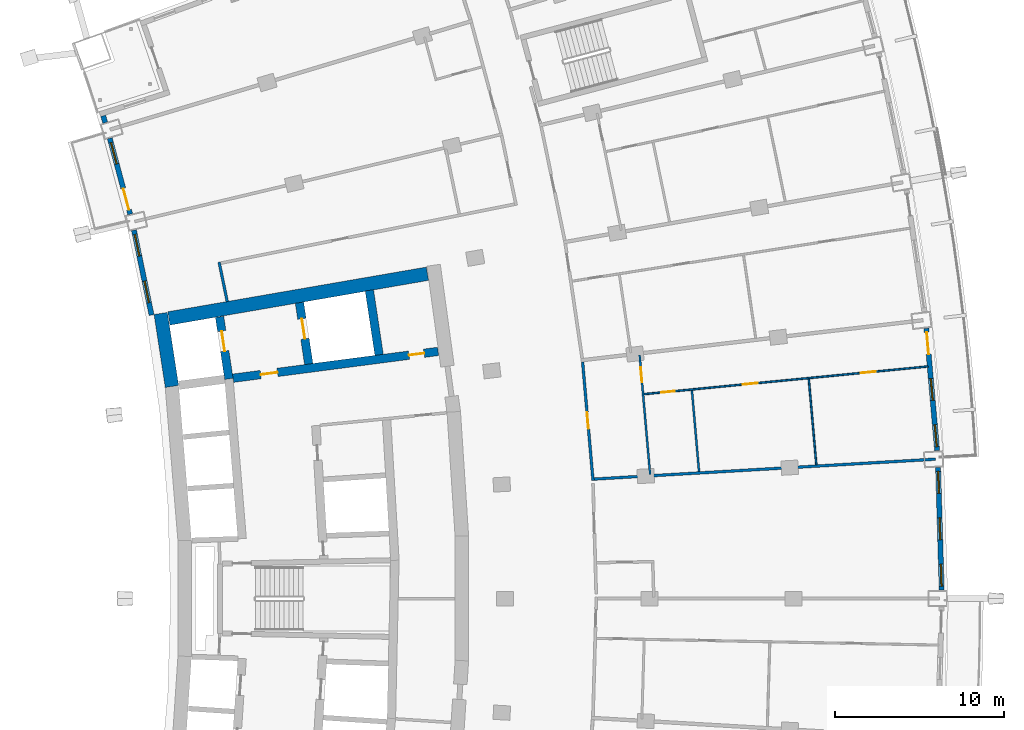
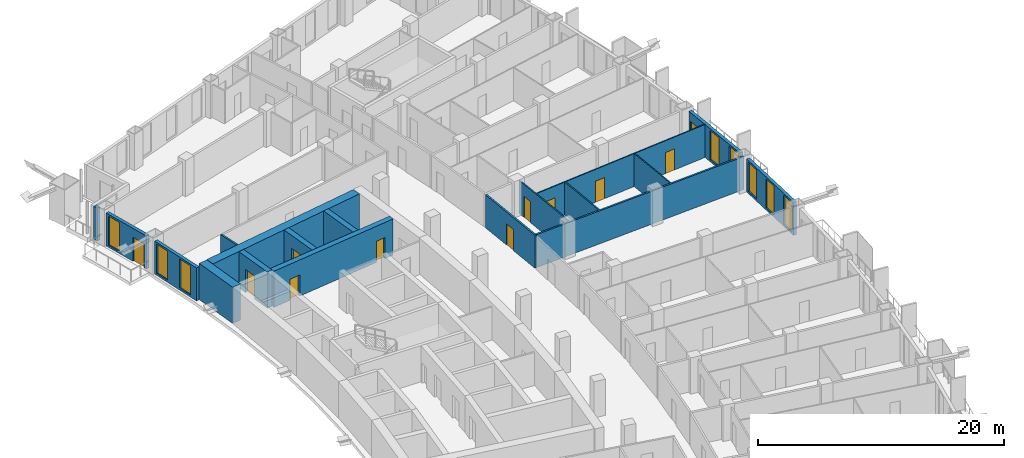
# One storey, part 15 of 23: 18 walls, 11 doors, 8 windows, 19 openings.
"""IFC4 building model written with IfcOpenShell, lengths in metres."""

from ifc_helpers import new_model, si_unit, direction, frame, frame_2d, origin, place, context, subcontext, project, spatial, rectangle, extrude, material, layer, layer_set, type_object, element, fill, save


model = new_model("IFC4")

# Units and contexts
model_context = context("Model", 3, precision=1e-05, world=origin(), true_north=direction((0.0, 1.0)))
body_context = subcontext(model_context, "Body", "Model", "MODEL_VIEW")
ifc_project = project(units=[si_unit("LENGTHUNIT", "METRE"), si_unit("AREAUNIT", "SQUARE_METRE"), si_unit("VOLUMEUNIT", "CUBIC_METRE"), si_unit("PLANEANGLEUNIT", "RADIAN"), si_unit("MASSUNIT", "GRAM", prefix="KILO")], contexts=[model_context])

# Site, building, storey
site_placement = place(None, origin())
site = spatial("IfcSite", under=ifc_project, at=site_placement, CompositionType="ELEMENT")
building_placement = place(site_placement, origin())
building = spatial("IfcBuilding", under=site, at=building_placement, Name="Alderwake Tower", CompositionType="ELEMENT")
storey_placement = place(building_placement, frame((0.0, 0.0, 100.39990234375)))
storey = spatial("IfcBuildingStorey", under=building, at=storey_placement, Name="L24", CompositionType="ELEMENT", Elevation=100.39990234375)

# Walls
ifc_material_1 = material(Name="Concrete C70/85", Category="concrete")
ifc_layer_1 = layer(ifc_material_1, 0.800048828125)
ifc_layer_set_1 = layer_set([ifc_layer_1], Name="Core wall outer 800 C70-85")
wall_type_1 = type_object("IfcWallType", Name="Core wall outer 800 C70-85", PredefinedType="SHEAR", material=ifc_layer_set_1)
wall_1_placement = place(storey_placement, frame((16.083984375, 73.552490234375, 0.0), z_axis=(0.0, 0.0, 1.0), x_axis=(-0.151981606421, 0.988383322052, 0.0)))
element("IfcWall", 1, at=wall_1_placement, inside=storey, type_object=wall_type_1, Name="Core wall CW.039", PredefinedType="SHEAR", context=body_context, shape_type="SweptSolid", body=[
    extrude(rectangle(XDim=4.369384765625, YDim=0.800048828125, at=frame_2d((2.1845703125, 0.0))), origin(), (0.0, 0.0, 1.0), 3.60009765625),
])
wall_2_placement = place(storey_placement, frame((15.900146484375, 77.577880859375, 0.0), z_axis=(0.0, 0.0, 1.0), x_axis=(0.985386601125, 0.170332751763, 0.0)))
element("IfcWall", 2, at=wall_2_placement, inside=storey, type_object=wall_type_1, Name="Core wall CW.054", PredefinedType="SHEAR", context=body_context, shape_type="SweptSolid", body=[
    extrude(rectangle(XDim=15.531494140625, YDim=0.800048828125, at=frame_2d((7.765625, 0.0))), origin(), (0.0, 0.0, 1.0), 3.60009765625),
])

# Wall, opening, door
ifc_material_2 = material(Name="Concrete C70/85", Category="concrete")
ifc_layer_2 = layer(ifc_material_2, 0.5)
ifc_layer_set_2 = layer_set([ifc_layer_2], Name="Core wall spine 500 C70-85")
wall_type_2 = type_object("IfcWallType", Name="Core wall spine 500 C70-85", PredefinedType="SHEAR", material=ifc_layer_set_2)
wall_3_placement = place(storey_placement, frame((19.4541015625, 73.9990234375, 0.0), z_axis=(0.0, 0.0, 1.0), x_axis=(-0.14792928808, 0.988997940204, 0.0)))
wall_3 = element("IfcWall", 3, at=wall_3_placement, inside=storey, type_object=wall_type_2, Name="Core wall CW.030", PredefinedType="SHEAR", context=body_context, shape_type="SweptSolid", body=[
    extrude(rectangle(XDim=3.716552734375, YDim=0.5, at=frame_2d((1.8583984375, 0.0))), origin(), (0.0, 0.0, 1.0), 3.60009765625),
])
opening_1_placement = place(wall_3_placement, frame((1.66259765625, 0.0, 0.0)))
opening_1 = element("IfcOpeningElement", 4, at=opening_1_placement, cuts=wall_3, Name="Opening LD-FF1", PredefinedType="OPENING", context=body_context, shape_type="SweptSolid", body=[
    extrude(rectangle(XDim=1.199951171875, YDim=2.300048828125, at=frame_2d((0.60009765625, 1.14990234375))), frame((0.0, 0.260009765625, 0.0), z_axis=(0.0, -1.0, 0.0), x_axis=(1.0, 0.0, 0.0)), (0.0, 0.0, 1.0), 0.52001953125),
])
ifc_material_3 = material(Name="Stainless steel sliding leaf", Category="steel")
door_type_1 = type_object("IfcDoorType", Name="Lift landing door 1200", OperationType="SLIDING_TO_LEFT", PredefinedType="DOOR", material=ifc_material_3)
door_1_placement = place(opening_1_placement, origin())
door_1 = element("IfcDoor", 5, at=door_1_placement, inside=storey, type_object=door_type_1, Name="Lift landing door FF1", OperationType="SLIDING_TO_LEFT", OverallHeight=2.300048828125, OverallWidth=1.199951171875, PredefinedType="DOOR", context=body_context, shape_type="SweptSolid", body=[
    extrude(rectangle(XDim=1.199951171875, YDim=2.300048828125, at=frame_2d((0.60009765625, 1.14990234375))), frame((0.0, 0.02490234375, 0.0), z_axis=(0.0, -1.0, 0.0), x_axis=(1.0, 0.0, 0.0)), (0.0, 0.0, 1.0), 0.050048828125),
])
fill(opening_1, door_1)

wall_4_placement = place(storey_placement, frame((24.1796875, 74.878173828125, 0.0), z_axis=(0.0, 0.0, 1.0), x_axis=(-0.149334835296, 0.988786684259, 0.0)))
wall_4 = element("IfcWall", 6, at=wall_4_placement, inside=storey, type_object=wall_type_2, Name="Core wall CW.044", PredefinedType="SHEAR", context=body_context, shape_type="SweptSolid", body=[
    extrude(rectangle(XDim=3.673583984375, YDim=0.5, at=frame_2d((1.8369140625, 0.0))), origin(), (0.0, 0.0, 1.0), 3.60009765625),
])
opening_2_placement = place(wall_4_placement, frame((1.51171875, 0.0, 0.0)))
opening_2 = element("IfcOpeningElement", 7, at=opening_2_placement, cuts=wall_4, Name="Opening LD-FF2", PredefinedType="OPENING", context=body_context, shape_type="SweptSolid", body=[
    extrude(rectangle(XDim=1.199951171875, YDim=2.300048828125, at=frame_2d((0.60009765625, 1.14990234375))), frame((0.0, 0.260009765625, 0.0), z_axis=(0.0, -1.0, 0.0), x_axis=(1.0, 0.0, 0.0)), (0.0, 0.0, 1.0), 0.52001953125),
])
door_2_placement = place(opening_2_placement, origin())
door_2 = element("IfcDoor", 8, at=door_2_placement, inside=storey, type_object=door_type_1, Name="Lift landing door FF2", OperationType="SLIDING_TO_LEFT", OverallHeight=2.300048828125, OverallWidth=1.199951171875, PredefinedType="DOOR", context=body_context, shape_type="SweptSolid", body=[
    extrude(rectangle(XDim=1.199951171875, YDim=2.300048828125, at=frame_2d((0.60009765625, 1.14990234375))), frame((0.0, 0.02490234375, 0.0), z_axis=(0.0, -1.0, 0.0), x_axis=(1.0, 0.0, 0.0)), (0.0, 0.0, 1.0), 0.050048828125),
])
fill(opening_2, door_2)

# Wall
wall_5_placement = place(storey_placement, frame((28.34423828125, 75.4228515625, 0.0), z_axis=(0.0, 0.0, 1.0), x_axis=(-0.14943460482, 0.988771611082, 0.0)))
element("IfcWall", 9, at=wall_5_placement, inside=storey, type_object=wall_type_2, Name="Core wall CW.001", PredefinedType="SHEAR", context=body_context, shape_type="SweptSolid", body=[
    extrude(rectangle(XDim=3.8623046875, YDim=0.5, at=frame_2d((1.93115234375, 0.0))), origin(), (0.0, 0.0, 1.0), 3.60009765625),
])

# Wall, openings, doors
wall_6_placement = place(storey_placement, frame((31.834716796875, 75.627197265625, 0.0), z_axis=(0.0, 0.0, 1.0), x_axis=(-0.991555516999, -0.129682908318, 0.0)))
wall_6 = element("IfcWall", 10, at=wall_6_placement, inside=storey, type_object=wall_type_2, Name="Core wall CW.052", PredefinedType="SHEAR", context=body_context, shape_type="SweptSolid", body=[
    extrude(rectangle(XDim=12.23681640625, YDim=0.5, at=frame_2d((6.118408203125, 0.0))), origin(), (0.0, 0.0, 1.0), 3.60009765625),
])
opening_3_placement = place(wall_6_placement, frame((9.587158203125, 0.0, 0.0)))
opening_3 = element("IfcOpeningElement", 11, at=opening_3_placement, cuts=wall_6, Name="Opening C002", PredefinedType="OPENING", context=body_context, shape_type="SweptSolid", body=[
    extrude(rectangle(XDim=1.0, YDim=2.10009765625, at=frame_2d((0.5, 1.050048828125))), frame((0.0, 0.260009765625, 0.0), z_axis=(0.0, -1.0, 0.0), x_axis=(1.0, 0.0, 0.0)), (0.0, 0.0, 1.0), 0.52001953125),
])
opening_4_placement = place(wall_6_placement, frame((0.837158203125, 0.0, 0.0)))
opening_4 = element("IfcOpeningElement", 12, at=opening_4_placement, cuts=wall_6, Name="Opening C020", PredefinedType="OPENING", context=body_context, shape_type="SweptSolid", body=[
    extrude(rectangle(XDim=0.89990234375, YDim=2.10009765625, at=frame_2d((0.449951171875, 1.050048828125))), frame((0.0, 0.260009765625, 0.0), z_axis=(0.0, -1.0, 0.0), x_axis=(1.0, 0.0, 0.0)), (0.0, 0.0, 1.0), 0.52001953125),
])
ifc_material_4 = material(Name="Painted steel leaf", Category="steel")
door_type_2 = type_object("IfcDoorType", Name="Core room door 900", OperationType="SINGLE_SWING_LEFT", PredefinedType="DOOR", material=ifc_material_4)
door_3_placement = place(opening_4_placement, origin())
door_3 = element("IfcDoor", 13, at=door_3_placement, inside=storey, type_object=door_type_2, Name="Room door", OperationType="SINGLE_SWING_LEFT", OverallHeight=2.10009765625, OverallWidth=0.89990234375, PredefinedType="DOOR", context=body_context, shape_type="SweptSolid", body=[
    extrude(rectangle(XDim=0.89990234375, YDim=2.10009765625, at=frame_2d((0.449951171875, 1.050048828125))), frame((0.0, 0.02490234375, 0.0), z_axis=(0.0, -1.0, 0.0), x_axis=(1.0, 0.0, 0.0)), (0.0, 0.0, 1.0), 0.050048828125),
])
fill(opening_4, door_3)
ifc_material_5 = material(Name="Steel-framed fire door leaf", Category="steel")
door_type_3 = type_object("IfcDoorType", Name="Firefighting lobby door 1000 fire-rated", OperationType="SINGLE_SWING_LEFT", PredefinedType="DOOR", material=ifc_material_5)
door_4_placement = place(opening_3_placement, origin())
door_4 = element("IfcDoor", 14, at=door_4_placement, inside=storey, type_object=door_type_3, Name="Firefighting lobby door", OperationType="SINGLE_SWING_RIGHT", OverallHeight=2.10009765625, OverallWidth=1.0, PredefinedType="DOOR", context=body_context, shape_type="SweptSolid", body=[
    extrude(rectangle(XDim=1.0, YDim=2.10009765625, at=frame_2d((0.5, 1.050048828125))), frame((0.0, 0.02490234375, 0.0), z_axis=(0.0, -1.0, 0.0), x_axis=(1.0, 0.0, 0.0)), (0.0, 0.0, 1.0), 0.050048828125),
])
fill(opening_3, door_4)

# Wall
ifc_material_6 = material(Name="Gypsum board on metal studs, rated")
ifc_layer_3 = layer(ifc_material_6, 0.159912109375)
ifc_layer_set_3 = layer_set([ifc_layer_3], Name="Corridor wall 160")
wall_type_3 = type_object("IfcWallType", Name="Corridor wall 160", PredefinedType="PARTITIONING", material=ifc_layer_set_3)
wall_7_placement = place(storey_placement, frame((18.874755859375, 80.910400390625, 0.0), z_axis=(0.0, 0.0, 1.0), x_axis=(0.202312089075, -0.979321100873, 0.0)))
element("IfcWall", 15, at=wall_7_placement, inside=storey, type_object=wall_type_3, Name="WL/L24/W21", PredefinedType="PARTITIONING", context=body_context, shape_type="SweptSolid", body=[
    extrude(rectangle(XDim=2.39306640625, YDim=0.159912109375, at=frame_2d((1.196533203125, 0.0))), origin(), (0.0, 0.0, 1.0), 3.280029296875),
])

# Wall, opening, door
wall_8_placement = place(storey_placement, frame((40.3857421875, 75.00830078125, 0.0), z_axis=(0.0, 0.0, 1.0), x_axis=(0.087430787456, -0.996170596537, 0.0)))
wall_8 = element("IfcWall", 16, at=wall_8_placement, inside=storey, type_object=wall_type_3, Name="WL/L24/W42", PredefinedType="PARTITIONING", context=body_context, shape_type="SweptSolid", body=[
    extrude(rectangle(XDim=7.048095703125, YDim=0.159912109375, at=frame_2d((3.52392578125, 0.0))), origin(), (0.0, 0.0, 1.0), 3.280029296875),
])
opening_5_placement = place(wall_8_placement, frame((2.984619140625, 0.0, 0.0)))
opening_5 = element("IfcOpeningElement", 17, at=opening_5_placement, cuts=wall_8, Name="Opening R06-U09.2", PredefinedType="OPENING", context=body_context, shape_type="SweptSolid", body=[
    extrude(rectangle(XDim=1.0, YDim=2.10009765625, at=frame_2d((0.5, 1.050048828125))), frame((0.0, 0.08984375, 0.0), z_axis=(0.0, -1.0, 0.0), x_axis=(1.0, 0.0, 0.0)), (0.0, 0.0, 1.0), 0.179931640625),
])
ifc_material_7 = material(Name="Solid timber leaf in steel frame", Category="steel")
door_type_4 = type_object("IfcDoorType", Name="Flat entrance door 1000 fire-rated", OperationType="SINGLE_SWING_LEFT", PredefinedType="DOOR", material=ifc_material_7)
door_5_placement = place(opening_5_placement, origin())
door_5 = element("IfcDoor", 18, at=door_5_placement, inside=storey, type_object=door_type_4, Name="DR/L24/U09.2", OperationType="SINGLE_SWING_LEFT", OverallHeight=2.10009765625, OverallWidth=1.0, PredefinedType="DOOR", context=body_context, shape_type="SweptSolid", body=[
    extrude(rectangle(XDim=1.0, YDim=2.10009765625, at=frame_2d((0.5, 1.050048828125))), frame((0.0, 0.02490234375, 0.0), z_axis=(0.0, -1.0, 0.0), x_axis=(1.0, 0.0, 0.0)), (0.0, 0.0, 1.0), 0.050048828125),
])
fill(opening_5, door_5)

# Wall
wall_9_placement = place(storey_placement, frame((61.260009765625, 69.2490234375, 0.0), z_axis=(0.0, 0.0, 1.0), x_axis=(-0.998303560932, -0.058223708493, 0.0)))
element("IfcWall", 19, at=wall_9_placement, inside=storey, type_object=wall_type_3, Name="WL/L24/W44", PredefinedType="PARTITIONING", context=body_context, shape_type="SweptSolid", body=[
    extrude(rectangle(XDim=20.21923828125, YDim=0.159912109375, at=frame_2d((10.109619140625, 0.0))), origin(), (0.0, 0.0, 1.0), 3.280029296875),
])

# Wall, openings, windows
ifc_material_8 = material(Name="Precast concrete C50/60 spandrel panel", Category="concrete")
ifc_layer_4 = layer(ifc_material_8, 0.300048828125)
ifc_layer_set_4 = layer_set([ifc_layer_4], Name="External wall EW1 Precast concrete C50/60 spandrel")
wall_type_4 = type_object("IfcWallType", Name="External wall EW1 Precast concrete C50/60 spandrel", PredefinedType="SOLIDWALL", material=ifc_layer_set_4)
wall_10_placement = place(storey_placement, frame((61.635498046875, 61.49853515625, 0.0), z_axis=(0.0, 0.0, 1.0), x_axis=(-0.029172877937, 0.999574381021, 0.0)))
wall_10 = element("IfcWall", 20, at=wall_10_placement, inside=storey, type_object=wall_type_4, Name="External wall 17", PredefinedType="SOLIDWALL", context=body_context, shape_type="SweptSolid", body=[
    extrude(rectangle(XDim=7.26416015625, YDim=0.300048828125, at=frame_2d((3.632080078125, 0.0))), origin(), (0.0, 0.0, 1.0), 3.280029296875),
])
opening_6_placement = place(wall_10_placement, frame((0.23291015625, 0.0, 0.199951171875)))
opening_6 = element("IfcOpeningElement", 21, at=opening_6_placement, cuts=wall_10, Name="Opening W1", PredefinedType="OPENING", context=body_context, shape_type="SweptSolid", body=[
    extrude(rectangle(XDim=1.300048828125, YDim=2.89990234375, at=frame_2d((0.64990234375, 1.449951171875))), frame((0.0, 0.159912109375, 0.0), z_axis=(0.0, -1.0, 0.0), x_axis=(1.0, 0.0, 0.0)), (0.0, 0.0, 1.0), 0.320068359375),
])
opening_7_placement = place(wall_10_placement, frame((2.98193359375, 0.0, 0.199951171875)))
opening_7 = element("IfcOpeningElement", 22, at=opening_7_placement, cuts=wall_10, Name="Opening W1", PredefinedType="OPENING", context=body_context, shape_type="SweptSolid", body=[
    extrude(rectangle(XDim=1.300048828125, YDim=2.89990234375, at=frame_2d((0.64990234375, 1.449951171875))), frame((0.0, 0.159912109375, 0.0), z_axis=(0.0, -1.0, 0.0), x_axis=(1.0, 0.0, 0.0)), (0.0, 0.0, 1.0), 0.320068359375),
])
opening_8_placement = place(wall_10_placement, frame((5.731201171875, 0.0, 0.199951171875)))
opening_8 = element("IfcOpeningElement", 23, at=opening_8_placement, cuts=wall_10, Name="Opening W1", PredefinedType="OPENING", context=body_context, shape_type="SweptSolid", body=[
    extrude(rectangle(XDim=1.300048828125, YDim=2.89990234375, at=frame_2d((0.64990234375, 1.449951171875))), frame((0.0, 0.159912109375, 0.0), z_axis=(0.0, -1.0, 0.0), x_axis=(1.0, 0.0, 0.0)), (0.0, 0.0, 1.0), 0.320068359375),
])
ifc_material_9 = material(Name="Bronze tinted glass in aluminium frame", Category="aluminium")
window_type = type_object("IfcWindowType", Name="Window W1 tall fixed and vent", PartitioningType="DOUBLE_PANEL_VERTICAL", PredefinedType="WINDOW", material=ifc_material_9)
window_1_placement = place(opening_6_placement, origin())
window_1 = element("IfcWindow", 24, at=window_1_placement, inside=storey, type_object=window_type, Name="Window W1 tall fixed and vent", OverallHeight=2.89990234375, OverallWidth=1.300048828125, PartitioningType="DOUBLE_PANEL_VERTICAL", PredefinedType="WINDOW", context=body_context, shape_type="SweptSolid", body=[
    extrude(rectangle(XDim=1.300048828125, YDim=2.89990234375, at=frame_2d((0.64990234375, 1.449951171875))), frame((0.0, 0.030029296875, 0.0), z_axis=(0.0, -1.0, 0.0), x_axis=(1.0, 0.0, 0.0)), (0.0, 0.0, 1.0), 0.06005859375),
])
fill(opening_6, window_1)
window_2_placement = place(opening_7_placement, origin())
window_2 = element("IfcWindow", 25, at=window_2_placement, inside=storey, type_object=window_type, Name="Window W1 tall fixed and vent", OverallHeight=2.89990234375, OverallWidth=1.300048828125, PartitioningType="DOUBLE_PANEL_VERTICAL", PredefinedType="WINDOW", context=body_context, shape_type="SweptSolid", body=[
    extrude(rectangle(XDim=1.300048828125, YDim=2.89990234375, at=frame_2d((0.64990234375, 1.449951171875))), frame((0.0, 0.030029296875, 0.0), z_axis=(0.0, -1.0, 0.0), x_axis=(1.0, 0.0, 0.0)), (0.0, 0.0, 1.0), 0.06005859375),
])
fill(opening_7, window_2)
window_3_placement = place(opening_8_placement, origin())
window_3 = element("IfcWindow", 26, at=window_3_placement, inside=storey, type_object=window_type, Name="Window W1 tall fixed and vent", OverallHeight=2.89990234375, OverallWidth=1.300048828125, PartitioningType="DOUBLE_PANEL_VERTICAL", PredefinedType="WINDOW", context=body_context, shape_type="SweptSolid", body=[
    extrude(rectangle(XDim=1.300048828125, YDim=2.89990234375, at=frame_2d((0.64990234375, 1.449951171875))), frame((0.0, 0.030029296875, 0.0), z_axis=(0.0, -1.0, 0.0), x_axis=(1.0, 0.0, 0.0)), (0.0, 0.0, 1.0), 0.06005859375),
])
fill(opening_8, window_3)

# Wall, openings, door, windows
wall_11_placement = place(storey_placement, frame((61.365478515625, 69.755126953125, 0.0), z_axis=(0.0, 0.0, 1.0), x_axis=(-0.087383747715, 0.996174723949, 0.0)))
wall_11 = element("IfcWall", 27, at=wall_11_placement, inside=storey, type_object=wall_type_4, Name="External wall 18", PredefinedType="SOLIDWALL", context=body_context, shape_type="SweptSolid", body=[
    extrude(rectangle(XDim=7.26416015625, YDim=0.300048828125, at=frame_2d((3.632080078125, 0.0))), origin(), (0.0, 0.0, 1.0), 3.280029296875),
])
opening_9_placement = place(wall_11_placement, frame((0.23291015625, 0.0, 0.199951171875)))
opening_9 = element("IfcOpeningElement", 28, at=opening_9_placement, cuts=wall_11, Name="Opening W1", PredefinedType="OPENING", context=body_context, shape_type="SweptSolid", body=[
    extrude(rectangle(XDim=1.300048828125, YDim=2.89990234375, at=frame_2d((0.64990234375, 1.449951171875))), frame((0.0, 0.159912109375, 0.0), z_axis=(0.0, -1.0, 0.0), x_axis=(1.0, 0.0, 0.0)), (0.0, 0.0, 1.0), 0.320068359375),
])
opening_10_placement = place(wall_11_placement, frame((2.98193359375, 0.0, 0.199951171875)))
opening_10 = element("IfcOpeningElement", 29, at=opening_10_placement, cuts=wall_11, Name="Opening W1", PredefinedType="OPENING", context=body_context, shape_type="SweptSolid", body=[
    extrude(rectangle(XDim=1.300048828125, YDim=2.89990234375, at=frame_2d((0.64990234375, 1.449951171875))), frame((0.0, 0.159912109375, 0.0), z_axis=(0.0, -1.0, 0.0), x_axis=(1.0, 0.0, 0.0)), (0.0, 0.0, 1.0), 0.320068359375),
])
opening_11_placement = place(wall_11_placement, frame((5.731201171875, 0.0, 0.0)))
opening_11 = element("IfcOpeningElement", 30, at=opening_11_placement, cuts=wall_11, Name="Opening D08", PredefinedType="OPENING", context=body_context, shape_type="SweptSolid", body=[
    extrude(rectangle(XDim=1.300048828125, YDim=2.39990234375, at=frame_2d((0.64990234375, 1.199951171875))), frame((0.0, 0.159912109375, 0.0), z_axis=(0.0, -1.0, 0.0), x_axis=(1.0, 0.0, 0.0)), (0.0, 0.0, 1.0), 0.320068359375),
])
ifc_material_10 = material(Name="Bronze tinted glass in aluminium frame", Category="aluminium")
door_type_5 = type_object("IfcDoorType", Name="Balcony door BD sliding", OperationType="SLIDING_TO_LEFT", PredefinedType="DOOR", material=ifc_material_10)
door_6_placement = place(opening_11_placement, origin())
door_6 = element("IfcDoor", 31, at=door_6_placement, inside=storey, type_object=door_type_5, Name="Door D08", OperationType="SLIDING_TO_LEFT", OverallHeight=2.39990234375, OverallWidth=1.300048828125, PredefinedType="DOOR", context=body_context, shape_type="SweptSolid", body=[
    extrude(rectangle(XDim=1.300048828125, YDim=2.39990234375, at=frame_2d((0.64990234375, 1.199951171875))), frame((0.0, 0.02490234375, 0.0), z_axis=(0.0, -1.0, 0.0), x_axis=(1.0, 0.0, 0.0)), (0.0, 0.0, 1.0), 0.050048828125),
])
fill(opening_11, door_6)
window_4_placement = place(opening_9_placement, origin())
window_4 = element("IfcWindow", 32, at=window_4_placement, inside=storey, type_object=window_type, Name="Window W1 tall fixed and vent", OverallHeight=2.89990234375, OverallWidth=1.300048828125, PartitioningType="DOUBLE_PANEL_VERTICAL", PredefinedType="WINDOW", context=body_context, shape_type="SweptSolid", body=[
    extrude(rectangle(XDim=1.300048828125, YDim=2.89990234375, at=frame_2d((0.64990234375, 1.449951171875))), frame((0.0, 0.030029296875, 0.0), z_axis=(0.0, -1.0, 0.0), x_axis=(1.0, 0.0, 0.0)), (0.0, 0.0, 1.0), 0.06005859375),
])
fill(opening_9, window_4)
window_5_placement = place(opening_10_placement, origin())
window_5 = element("IfcWindow", 33, at=window_5_placement, inside=storey, type_object=window_type, Name="Window W1 tall fixed and vent", OverallHeight=2.89990234375, OverallWidth=1.300048828125, PartitioningType="DOUBLE_PANEL_VERTICAL", PredefinedType="WINDOW", context=body_context, shape_type="SweptSolid", body=[
    extrude(rectangle(XDim=1.300048828125, YDim=2.89990234375, at=frame_2d((0.64990234375, 1.449951171875))), frame((0.0, 0.030029296875, 0.0), z_axis=(0.0, -1.0, 0.0), x_axis=(1.0, 0.0, 0.0)), (0.0, 0.0, 1.0), 0.06005859375),
])
fill(opening_10, window_5)

# Wall
wall_12_placement = place(storey_placement, frame((12.01416015625, 89.5703125, 0.0), z_axis=(0.0, 0.0, 1.0), x_axis=(0.294567190983, -0.955630770746, 0.0)))
element("IfcWall", 34, at=wall_12_placement, inside=storey, type_object=wall_type_4, Name="External wall 32", PredefinedType="SOLIDWALL", context=body_context, shape_type="SweptSolid", body=[
    extrude(rectangle(XDim=0.427734375, YDim=0.300048828125, at=frame_2d((0.2138671875, 0.0))), origin(), (0.0, 0.0, 1.0), 3.280029296875),
])

# Wall, openings, door, window
wall_13_placement = place(storey_placement, frame((12.406494140625, 88.237548828125, 0.0), z_axis=(0.0, 0.0, 1.0), x_axis=(0.259468933642, -0.965751454814, 0.0)))
wall_13 = element("IfcWall", 35, at=wall_13_placement, inside=storey, type_object=wall_type_4, Name="External wall 33", PredefinedType="SOLIDWALL", context=body_context, shape_type="SweptSolid", body=[
    extrude(rectangle(XDim=4.65087890625, YDim=0.300048828125, at=frame_2d((2.325439453125, 0.0))), origin(), (0.0, 0.0, 1.0), 3.280029296875),
])
opening_12_placement = place(wall_13_placement, frame((0.26708984375, 0.0, 0.199951171875)))
opening_12 = element("IfcOpeningElement", 36, at=opening_12_placement, cuts=wall_13, Name="Opening W1", PredefinedType="OPENING", context=body_context, shape_type="SweptSolid", body=[
    extrude(rectangle(XDim=1.300048828125, YDim=2.89990234375, at=frame_2d((0.64990234375, 1.449951171875))), frame((0.0, 0.159912109375, 0.0), z_axis=(0.0, -1.0, 0.0), x_axis=(1.0, 0.0, 0.0)), (0.0, 0.0, 1.0), 0.320068359375),
])
opening_13_placement = place(wall_13_placement, frame((3.083984375, 0.0, 0.0)))
opening_13 = element("IfcOpeningElement", 37, at=opening_13_placement, cuts=wall_13, Name="Opening D14", PredefinedType="OPENING", context=body_context, shape_type="SweptSolid", body=[
    extrude(rectangle(XDim=1.300048828125, YDim=2.39990234375, at=frame_2d((0.64990234375, 1.199951171875))), frame((0.0, 0.159912109375, 0.0), z_axis=(0.0, -1.0, 0.0), x_axis=(1.0, 0.0, 0.0)), (0.0, 0.0, 1.0), 0.320068359375),
])
door_7_placement = place(opening_13_placement, origin())
door_7 = element("IfcDoor", 38, at=door_7_placement, inside=storey, type_object=door_type_5, Name="Door D14", OperationType="SLIDING_TO_LEFT", OverallHeight=2.39990234375, OverallWidth=1.300048828125, PredefinedType="DOOR", context=body_context, shape_type="SweptSolid", body=[
    extrude(rectangle(XDim=1.300048828125, YDim=2.39990234375, at=frame_2d((0.64990234375, 1.199951171875))), frame((0.0, 0.02490234375, 0.0), z_axis=(0.0, -1.0, 0.0), x_axis=(1.0, 0.0, 0.0)), (0.0, 0.0, 1.0), 0.050048828125),
])
fill(opening_13, door_7)
window_6_placement = place(opening_12_placement, origin())
window_6 = element("IfcWindow", 39, at=window_6_placement, inside=storey, type_object=window_type, Name="Window W1 tall fixed and vent", OverallHeight=2.89990234375, OverallWidth=1.300048828125, PartitioningType="DOUBLE_PANEL_VERTICAL", PredefinedType="WINDOW", context=body_context, shape_type="SweptSolid", body=[
    extrude(rectangle(XDim=1.300048828125, YDim=2.89990234375, at=frame_2d((0.64990234375, 1.449951171875))), frame((0.0, 0.030029296875, 0.0), z_axis=(0.0, -1.0, 0.0), x_axis=(1.0, 0.0, 0.0)), (0.0, 0.0, 1.0), 0.06005859375),
])
fill(opening_12, window_6)

# Wall, openings, windows
wall_14_placement = place(storey_placement, frame((13.83740234375, 82.803955078125, 0.0), z_axis=(0.0, 0.0, 1.0), x_axis=(0.202723539143, -0.979236011734, 0.0)))
wall_14 = element("IfcWall", 40, at=wall_14_placement, inside=storey, type_object=wall_type_4, Name="External wall 34", PredefinedType="SOLIDWALL", context=body_context, shape_type="SweptSolid", body=[
    extrude(rectangle(XDim=5.134033203125, YDim=0.300048828125, at=frame_2d((2.56689453125, 0.0))), origin(), (0.0, 0.0, 1.0), 3.280029296875),
])
opening_14_placement = place(wall_14_placement, frame((0.264892578125, 0.0, 0.199951171875)))
opening_14 = element("IfcOpeningElement", 41, at=opening_14_placement, cuts=wall_14, Name="Opening W1", PredefinedType="OPENING", context=body_context, shape_type="SweptSolid", body=[
    extrude(rectangle(XDim=1.300048828125, YDim=2.89990234375, at=frame_2d((0.64990234375, 1.449951171875))), frame((0.0, 0.159912109375, 0.0), z_axis=(0.0, -1.0, 0.0), x_axis=(1.0, 0.0, 0.0)), (0.0, 0.0, 1.0), 0.320068359375),
])
opening_15_placement = place(wall_14_placement, frame((3.077392578125, 0.0, 0.199951171875)))
opening_15 = element("IfcOpeningElement", 42, at=opening_15_placement, cuts=wall_14, Name="Opening W1", PredefinedType="OPENING", context=body_context, shape_type="SweptSolid", body=[
    extrude(rectangle(XDim=1.300048828125, YDim=2.89990234375, at=frame_2d((0.64990234375, 1.449951171875))), frame((0.0, 0.159912109375, 0.0), z_axis=(0.0, -1.0, 0.0), x_axis=(1.0, 0.0, 0.0)), (0.0, 0.0, 1.0), 0.320068359375),
])
window_7_placement = place(opening_14_placement, origin())
window_7 = element("IfcWindow", 43, at=window_7_placement, inside=storey, type_object=window_type, Name="Window W1 tall fixed and vent", OverallHeight=2.89990234375, OverallWidth=1.300048828125, PartitioningType="DOUBLE_PANEL_VERTICAL", PredefinedType="WINDOW", context=body_context, shape_type="SweptSolid", body=[
    extrude(rectangle(XDim=1.300048828125, YDim=2.89990234375, at=frame_2d((0.64990234375, 1.449951171875))), frame((0.0, 0.030029296875, 0.0), z_axis=(0.0, -1.0, 0.0), x_axis=(1.0, 0.0, 0.0)), (0.0, 0.0, 1.0), 0.06005859375),
])
fill(opening_14, window_7)
window_8_placement = place(opening_15_placement, origin())
window_8 = element("IfcWindow", 44, at=window_8_placement, inside=storey, type_object=window_type, Name="Window W1 tall fixed and vent", OverallHeight=2.89990234375, OverallWidth=1.300048828125, PartitioningType="DOUBLE_PANEL_VERTICAL", PredefinedType="WINDOW", context=body_context, shape_type="SweptSolid", body=[
    extrude(rectangle(XDim=1.300048828125, YDim=2.89990234375, at=frame_2d((0.64990234375, 1.449951171875))), frame((0.0, 0.030029296875, 0.0), z_axis=(0.0, -1.0, 0.0), x_axis=(1.0, 0.0, 0.0)), (0.0, 0.0, 1.0), 0.06005859375),
])
fill(opening_15, window_8)

# Wall, openings, doors
ifc_material_11 = material(Name="Gypsum board on metal studs")
ifc_layer_5 = layer(ifc_material_11, 0.10009765625)
ifc_layer_set_5 = layer_set([ifc_layer_5], Name="Unit partition 100")
wall_type_5 = type_object("IfcWallType", Name="Unit partition 100", PredefinedType="PARTITIONING", material=ifc_layer_set_5)
wall_15_placement = place(storey_placement, frame((60.827880859375, 74.736083984375, 0.0), z_axis=(0.0, 0.0, 1.0), x_axis=(-0.995281244232, -0.097032184767, 0.0)))
wall_15 = element("IfcWall", 45, at=wall_15_placement, inside=storey, type_object=wall_type_5, Name="WL/L24/W78", PredefinedType="PARTITIONING", context=body_context, shape_type="SweptSolid", body=[
    extrude(rectangle(XDim=16.8828125, YDim=0.10009765625, at=frame_2d((8.44140625, 0.0))), origin(), (0.0, 0.0, 1.0), 3.280029296875),
])
opening_16_placement = place(wall_15_placement, frame((10.11962890625, 0.0, 0.0)))
opening_16 = element("IfcOpeningElement", 46, at=opening_16_placement, cuts=wall_15, Name="Opening R06-U09.1", PredefinedType="OPENING", context=body_context, shape_type="SweptSolid", body=[
    extrude(rectangle(XDim=0.89990234375, YDim=2.10009765625, at=frame_2d((0.449951171875, 1.050048828125))), frame((0.0, 0.06005859375, 0.0), z_axis=(0.0, -1.0, 0.0), x_axis=(1.0, 0.0, 0.0)), (0.0, 0.0, 1.0), 0.1201171875),
])
opening_17_placement = place(wall_15_placement, frame((15.063720703125, 0.0, 0.0)))
opening_17 = element("IfcOpeningElement", 47, at=opening_17_placement, cuts=wall_15, Name="Opening R06-U09.4", PredefinedType="OPENING", context=body_context, shape_type="SweptSolid", body=[
    extrude(rectangle(XDim=0.800048828125, YDim=2.10009765625, at=frame_2d((0.39990234375, 1.050048828125))), frame((0.0, 0.06005859375, 0.0), z_axis=(0.0, -1.0, 0.0), x_axis=(1.0, 0.0, 0.0)), (0.0, 0.0, 1.0), 0.1201171875),
])
opening_18_placement = place(wall_15_placement, frame((3.097412109375, 0.0, 0.0)))
opening_18 = element("IfcOpeningElement", 48, at=opening_18_placement, cuts=wall_15, Name="Opening R06-U09.5", PredefinedType="OPENING", context=body_context, shape_type="SweptSolid", body=[
    extrude(rectangle(XDim=0.89990234375, YDim=2.10009765625, at=frame_2d((0.449951171875, 1.050048828125))), frame((0.0, 0.06005859375, 0.0), z_axis=(0.0, -1.0, 0.0), x_axis=(1.0, 0.0, 0.0)), (0.0, 0.0, 1.0), 0.1201171875),
])
ifc_material_12 = material(Name="Painted timber leaf", Category="wood")
door_type_6 = type_object("IfcDoorType", Name="Bathroom door 800", OperationType="SINGLE_SWING_LEFT", PredefinedType="DOOR", material=ifc_material_12)
door_8_placement = place(opening_17_placement, origin())
door_8 = element("IfcDoor", 49, at=door_8_placement, inside=storey, type_object=door_type_6, Name="DR/L24/U09.4", OperationType="SINGLE_SWING_LEFT", OverallHeight=2.10009765625, OverallWidth=0.800048828125, PredefinedType="DOOR", context=body_context, shape_type="SweptSolid", body=[
    extrude(rectangle(XDim=0.800048828125, YDim=2.10009765625, at=frame_2d((0.39990234375, 1.050048828125))), frame((0.0, 0.02490234375, 0.0), z_axis=(0.0, -1.0, 0.0), x_axis=(1.0, 0.0, 0.0)), (0.0, 0.0, 1.0), 0.050048828125),
])
fill(opening_17, door_8)
ifc_material_13 = material(Name="Painted timber leaf", Category="wood")
door_type_7 = type_object("IfcDoorType", Name="Room door 900", OperationType="SINGLE_SWING_LEFT", PredefinedType="DOOR", material=ifc_material_13)
door_9_placement = place(opening_16_placement, origin())
door_9 = element("IfcDoor", 50, at=door_9_placement, inside=storey, type_object=door_type_7, Name="DR/L24/U09.1", OperationType="SINGLE_SWING_LEFT", OverallHeight=2.10009765625, OverallWidth=0.89990234375, PredefinedType="DOOR", context=body_context, shape_type="SweptSolid", body=[
    extrude(rectangle(XDim=0.89990234375, YDim=2.10009765625, at=frame_2d((0.449951171875, 1.050048828125))), frame((0.0, 0.02490234375, 0.0), z_axis=(0.0, -1.0, 0.0), x_axis=(1.0, 0.0, 0.0)), (0.0, 0.0, 1.0), 0.050048828125),
])
fill(opening_16, door_9)
door_10_placement = place(opening_18_placement, origin())
door_10 = element("IfcDoor", 51, at=door_10_placement, inside=storey, type_object=door_type_7, Name="DR/L24/U09.5", OperationType="SINGLE_SWING_LEFT", OverallHeight=2.10009765625, OverallWidth=0.89990234375, PredefinedType="DOOR", context=body_context, shape_type="SweptSolid", body=[
    extrude(rectangle(XDim=0.89990234375, YDim=2.10009765625, at=frame_2d((0.449951171875, 1.050048828125))), frame((0.0, 0.02490234375, 0.0), z_axis=(0.0, -1.0, 0.0), x_axis=(1.0, 0.0, 0.0)), (0.0, 0.0, 1.0), 0.050048828125),
])
fill(opening_18, door_10)

# Wall
wall_16_placement = place(storey_placement, frame((54.218017578125, 68.917724609375, 0.0), z_axis=(0.0, 0.0, 1.0), x_axis=(-0.087780602515, 0.996139832464, 0.0)))
element("IfcWall", 52, at=wall_16_placement, inside=storey, type_object=wall_type_5, Name="WL/L24/W89", PredefinedType="PARTITIONING", context=body_context, shape_type="SweptSolid", body=[
    extrude(rectangle(XDim=5.09814453125, YDim=0.10009765625, at=frame_2d((2.549072265625, 0.0))), origin(), (0.0, 0.0, 1.0), 3.280029296875),
])

# Wall, opening, door
ifc_material_14 = material(Name="Moisture resistant gypsum board on metal studs")
ifc_layer_6 = layer(ifc_material_14, 0.1201171875)
ifc_layer_set_6 = layer_set([ifc_layer_6], Name="Wet room partition 120")
wall_type_6 = type_object("IfcWallType", Name="Wet room partition 120", PredefinedType="PARTITIONING", material=ifc_layer_set_6)
wall_17_placement = place(storey_placement, frame((43.7607421875, 75.404296875, 0.0), z_axis=(0.0, 0.0, 1.0), x_axis=(0.087537888568, -0.996161190805, 0.0)))
wall_17 = element("IfcWall", 53, at=wall_17_placement, inside=storey, type_object=wall_type_6, Name="WL/L24/W62", PredefinedType="PARTITIONING", context=body_context, shape_type="SweptSolid", body=[
    extrude(rectangle(XDim=7.086669921875, YDim=0.1201171875, at=frame_2d((3.54345703125, 0.0))), origin(), (0.0, 0.0, 1.0), 3.280029296875),
])
opening_19_placement = place(wall_17_placement, frame((0.71142578125, 0.0, 0.0)))
opening_19 = element("IfcOpeningElement", 54, at=opening_19_placement, cuts=wall_17, Name="Opening R06-U09.3", PredefinedType="OPENING", context=body_context, shape_type="SweptSolid", body=[
    extrude(rectangle(XDim=0.89990234375, YDim=2.10009765625, at=frame_2d((0.449951171875, 1.050048828125))), frame((0.0, 0.070068359375, 0.0), z_axis=(0.0, -1.0, 0.0), x_axis=(1.0, 0.0, 0.0)), (0.0, 0.0, 1.0), 0.14013671875),
])
door_11_placement = place(opening_19_placement, origin())
door_11 = element("IfcDoor", 55, at=door_11_placement, inside=storey, type_object=door_type_7, Name="DR/L24/U09.3", OperationType="SINGLE_SWING_LEFT", OverallHeight=2.10009765625, OverallWidth=0.89990234375, PredefinedType="DOOR", context=body_context, shape_type="SweptSolid", body=[
    extrude(rectangle(XDim=0.89990234375, YDim=2.10009765625, at=frame_2d((0.449951171875, 1.050048828125))), frame((0.0, 0.02490234375, 0.0), z_axis=(0.0, -1.0, 0.0), x_axis=(1.0, 0.0, 0.0)), (0.0, 0.0, 1.0), 0.050048828125),
])
fill(opening_19, door_11)

# Wall
wall_18_placement = place(storey_placement, frame((47.27587890625, 68.5126953125, 0.0), z_axis=(0.0, 0.0, 1.0), x_axis=(-0.087096677779, 0.996199863843, 0.0)))
element("IfcWall", 56, at=wall_18_placement, inside=storey, type_object=wall_type_6, Name="WL/L24/W69", PredefinedType="PARTITIONING", context=body_context, shape_type="SweptSolid", body=[
    extrude(rectangle(XDim=4.826904296875, YDim=0.1201171875, at=frame_2d((2.41357421875, 0.0))), origin(), (0.0, 0.0, 1.0), 3.280029296875),
])

save(model, "model.ifc")
